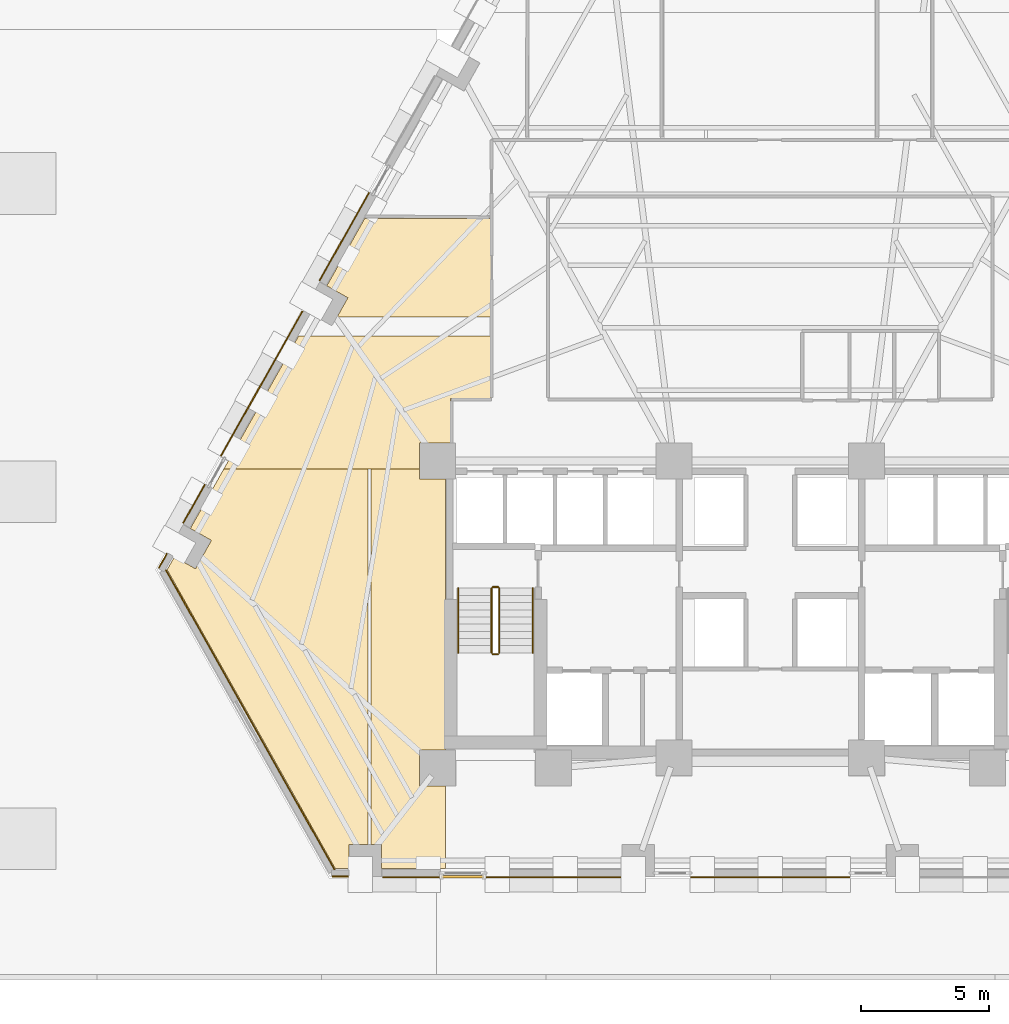
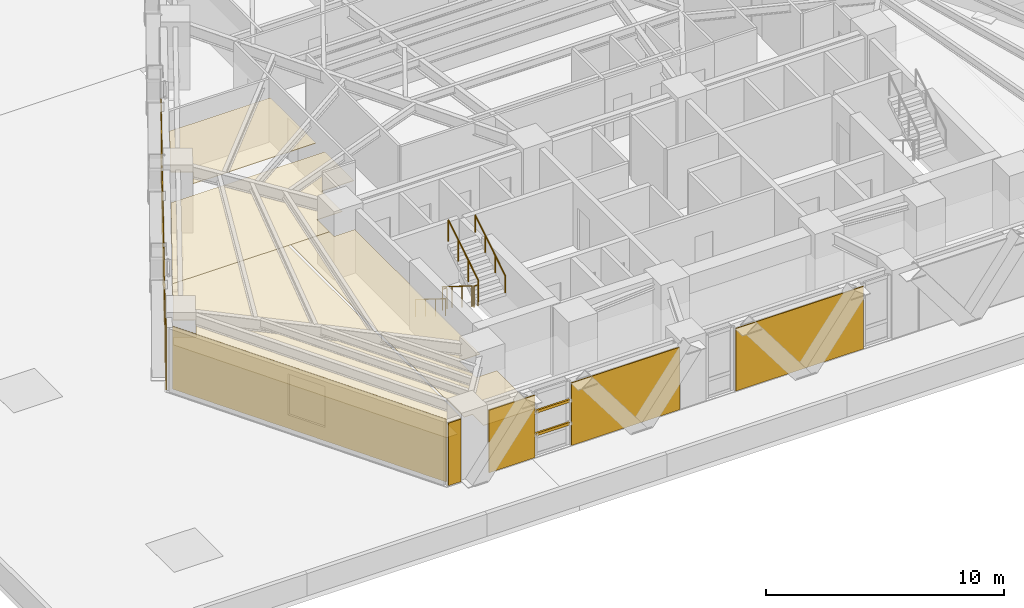
# One storey, part 12 of 14: 13 coverings, 6 railings, 2 shading devices.
"""IFC4 building model written with IfcOpenShell, lengths in metres."""

from ifc_helpers import new_model, si_unit, direction, frame, origin, origin_2d, place, context, subcontext, project, spatial, polyline, rectangle, circle, outline, extrude, material, layer, layer_set, material_profile, profile_set, type_object, element, save


model = new_model("IFC4")

# Units and contexts
model_context = context("Model", 3, precision=1e-05, world=origin(), true_north=direction((0.0, 1.0)))
body_context = subcontext(model_context, "Body", "Model", "MODEL_VIEW")
ifc_project = project(units=[si_unit("LENGTHUNIT", "METRE"), si_unit("AREAUNIT", "SQUARE_METRE"), si_unit("VOLUMEUNIT", "CUBIC_METRE"), si_unit("PLANEANGLEUNIT", "RADIAN"), si_unit("MASSUNIT", "GRAM", prefix="KILO")], contexts=[model_context])

# Site, building, storey
site_placement = place(None, origin())
site = spatial("IfcSite", under=ifc_project, at=site_placement, CompositionType="ELEMENT")
building_placement = place(site_placement, origin())
building = spatial("IfcBuilding", under=site, at=building_placement, Name="Quenlor Broadcast Tower", CompositionType="ELEMENT")
storey_placement = place(building_placement, frame((0.0, 0.0, 27.60009765625)))
storey = spatial("IfcBuildingStorey", under=building, at=storey_placement, Name="L06", CompositionType="ELEMENT", Elevation=27.60009765625)

# Coverings
ifc_material_1 = material(Name="Acoustic Mineral Fibre Board", Category="other")
ifc_layer_1 = layer(ifc_material_1, 0.02490234375)
ifc_layer_set_1 = layer_set([ifc_layer_1], Name="Acoustic Perforated Mineral Tile Ceiling 25")
covering_type_1 = type_object("IfcCoveringType", Name="Acoustic Perforated Mineral Tile Ceiling 25", PredefinedType="CEILING", material=ifc_layer_set_1)
covering_1_placement = place(storey_placement, frame((0.0, 0.0, 2.224853515625)))
element("IfcCovering", 1, at=covering_1_placement, inside=storey, type_object=covering_type_1, Name="L06 Acoustic Ceiling L06-35", PredefinedType="CEILING", context=body_context, shape_type="SweptSolid", body=[
    extrude(outline(polyline([(-16.85986328125, 0.81005859375), (-16.44189453125, 1.552978515625), (-17.263671875, 2.015380859375), (-15.787353515625, 4.639892578125), (-10.8798828125, 4.639892578125), (-10.8798828125, 0.81005859375), (-16.85986328125, 0.81005859375)])), origin(), (0.0, 0.0, 1.0), 0.025146484375),
])
covering_2_placement = place(storey_placement, frame((0.0, 0.0, 2.224853515625)))
element("IfcCovering", 2, at=covering_2_placement, inside=storey, type_object=covering_type_1, Name="L06 Acoustic Ceiling L06-37", PredefinedType="CEILING", context=body_context, shape_type="SweptSolid", body=[
    extrude(outline(polyline([(-12.43994140625, -2.3701171875), (-12.43994140625, -4.092041015625), (-13.657958984375, -4.092041015625), (-13.657958984375, -5.1201171875), (-15.5400390625, -5.1201171875), (-15.659912109375, -5.1201171875), (-21.27734375, -5.1201171875), (-18.36376953125, 0.059814453125), (-10.8798828125, 0.059814453125), (-10.8798828125, -2.3701171875), (-12.43994140625, -2.3701171875)])), origin(), (0.0, 0.0, 1.0), 0.025146484375),
])
covering_3_placement = place(storey_placement, frame((0.0, 0.0, 2.224853515625)))
element("IfcCovering", 3, at=covering_3_placement, inside=storey, type_object=covering_type_1, Name="L06 Acoustic Ceiling L06-37-3", PredefinedType="CEILING", context=body_context, shape_type="SweptSolid", body=[
    extrude(outline(polyline([(-13.657958984375, -5.508056640625), (-12.64990234375, -5.508056640625), (-12.64990234375, -16.0419921875), (-13.657958984375, -16.0419921875), (-13.657958984375, -17.4580078125), (-12.64990234375, -17.4580078125), (-12.64990234375, -20.659912109375), (-15.132080078125, -20.659912109375), (-15.132080078125, -19.717041015625), (-15.5400390625, -19.717041015625), (-15.5400390625, -5.1201171875), (-13.657958984375, -5.1201171875), (-13.657958984375, -5.508056640625)])), origin(), (0.0, 0.0, 1.0), 0.025146484375),
])
covering_4_placement = place(storey_placement, frame((0.0, 0.0, 2.224853515625)))
element("IfcCovering", 4, at=covering_4_placement, inside=storey, type_object=covering_type_1, Name="L06 Acoustic Ceiling L06-37-4", PredefinedType="CEILING", context=body_context, shape_type="SweptSolid", body=[
    extrude(outline(polyline([(-15.659912109375, -19.717041015625), (-16.398193359375, -19.717041015625), (-16.398193359375, -20.659912109375), (-16.937255859375, -20.659912109375), (-23.477783203125, -9.031982421875), (-23.196533203125, -8.531982421875), (-22.374755859375, -8.994140625), (-21.754150390625, -7.890625), (-22.575927734375, -7.428466796875), (-21.27734375, -5.1201171875), (-15.659912109375, -5.1201171875), (-15.659912109375, -19.717041015625)])), origin(), (0.0, 0.0, 1.0), 0.025146484375),
])

# Shading devices
ifc_material_2 = material(Name="Architectural Terracotta Ceramic", Category="masonry")
ifc_material_profile = material_profile(ifc_material_2, rectangle(XDim=0.090087890625, YDim=0.139892578125, at=origin_2d()))
ifc_profile_set = profile_set([ifc_material_profile], Name="Architectural Terracotta Ceramic BAG90x140")
shading_device_type = type_object("IfcShadingDeviceType", Name="Copper Terracotta Baguette Solar Screen 140", PredefinedType="USERDEFINED", material=ifc_profile_set)
for number, where, z_axis, x_axis, name in (
    (5, (-11.146484375, -20.98291015625, 1.169921875), (-1.0, 0.0, 0.0), (0.0, -1.0, 0.0), "L06 Terracotta Baguette Screen 1"),
    (6, (-11.146484375, -20.98291015625, 2.33984375), (-1.0, 0.0, 0.0), (0.0, -1.0, 0.0), "L06 Terracotta Baguette Screen 2"),
):
    element("IfcShadingDevice", number, at=place(storey_placement, frame(where, z_axis=z_axis, x_axis=x_axis)), inside=storey, type_object=shading_device_type, Name=name, ObjectType="BAGUETTE", PredefinedType="USERDEFINED", context=body_context, shape_type="SweptSolid", body=[
        extrude(rectangle(XDim=0.090087890625, YDim=0.139892578125, at=origin_2d()), origin(), (0.0, 0.0, 1.0), 1.6484375),
    ])

# Coverings
ifc_material_3 = material(Name="Architectural Terracotta Ceramic", Category="masonry")
ifc_layer_2 = layer(ifc_material_3, 0.044921875)
ifc_layer_set_2 = layer_set([ifc_layer_2], Name="Fluted Terracotta Rainscreen Cladding Panel")
covering_type_2 = type_object("IfcCoveringType", Name="Fluted Terracotta Rainscreen Cladding Panel", PredefinedType="CLADDING", material=ifc_layer_set_2)
covering_5_placement = place(storey_placement, frame((0.0, 0.0, 0.02001953125)))
element("IfcCovering", 7, at=covering_5_placement, inside=storey, type_object=covering_type_2, Name="L06 Terracotta Rainscreen Cladding L06-SHD-SS1", PredefinedType="CLADDING", context=body_context, shape_type="SweptSolid", body=[
    extrude(outline(polyline([(-16.425048828125, -20.951904296875), (-17.0458984375, -20.951904296875), (-17.0458984375, -20.9970703125), (-16.425048828125, -20.9970703125), (-16.425048828125, -20.951904296875)])), origin(), (0.0, 0.0, 1.0), 3.2099609375),
])
covering_6_placement = place(storey_placement, frame((0.0, 0.0, 0.02001953125)))
element("IfcCovering", 8, at=covering_6_placement, inside=storey, type_object=covering_type_2, Name="L06 Terracotta Rainscreen Cladding L06-SC-SP1", PredefinedType="CLADDING", context=body_context, shape_type="SweptSolid", body=[
    extrude(outline(polyline([(-5.82080078125, -20.98193359375), (-11.07666015625, -20.98193359375), (-11.07666015625, -21.027099609375), (-5.82080078125, -21.027099609375), (-5.82080078125, -20.98193359375)])), origin(), (0.0, 0.0, 1.0), 3.2099609375),
])
covering_7_placement = place(storey_placement, frame((0.0, 0.0, 0.02001953125)))
element("IfcCovering", 9, at=covering_7_placement, inside=storey, type_object=covering_type_2, Name="L06 Terracotta Rainscreen Cladding L06-SC-SP2", PredefinedType="CLADDING", context=body_context, shape_type="SweptSolid", body=[
    extrude(outline(polyline([(-12.864990234375, -20.98193359375), (-15.085205078125, -20.98193359375), (-15.085205078125, -21.027099609375), (-12.864990234375, -21.027099609375), (-12.864990234375, -20.98193359375)])), origin(), (0.0, 0.0, 1.0), 3.2099609375),
])
covering_8_placement = place(storey_placement, frame((0.0, 0.0, 0.02001953125)))
element("IfcCovering", 10, at=covering_8_placement, inside=storey, type_object=covering_type_2, Name="L06 Terracotta Rainscreen Cladding L06-S-SP1", PredefinedType="CLADDING", context=body_context, shape_type="SweptSolid", body=[
    extrude(outline(polyline([(3.09619140625, -20.98193359375), (-3.09619140625, -20.98193359375), (-3.09619140625, -21.027099609375), (3.09619140625, -21.027099609375), (3.09619140625, -20.98193359375)])), origin(), (0.0, 0.0, 1.0), 3.2099609375),
])
covering_9_placement = place(storey_placement, frame((0.0, 0.0, 0.02001953125)))
element("IfcCovering", 11, at=covering_9_placement, inside=storey, type_object=covering_type_2, Name="L06 Terracotta Rainscreen Cladding L06-SHD-NWS0", PredefinedType="CLADDING", context=body_context, shape_type="SweptSolid", body=[
    extrude(outline(polyline([(-23.781982421875, -8.97705078125), (-23.464111328125, -8.412109375), (-23.50341796875, -8.39013671875), (-23.8212890625, -8.955078125), (-23.781982421875, -8.97705078125)])), origin(), (0.0, 0.0, 1.0), 3.2099609375),
])
covering_10_placement = place(storey_placement, frame((0.0, 0.0, 0.02001953125)))
element("IfcCovering", 12, at=covering_10_placement, inside=storey, type_object=covering_type_2, Name="L06 Terracotta Rainscreen Cladding L06-NWA-SP1", PredefinedType="CLADDING", context=body_context, shape_type="SweptSolid", body=[
    extrude(outline(polyline([(-22.83349609375, -7.2294921875), (-21.989013671875, -5.728271484375), (-22.0283203125, -5.706298828125), (-22.872802734375, -7.20751953125), (-22.83349609375, -7.2294921875)])), origin(), (0.0, 0.0, 1.0), 3.2099609375),
])
covering_11_placement = place(storey_placement, frame((0.0, 0.0, 0.02001953125)))
element("IfcCovering", 13, at=covering_11_placement, inside=storey, type_object=covering_type_2, Name="L06 Terracotta Rainscreen Cladding L06-NWA-SP2", PredefinedType="CLADDING", context=body_context, shape_type="SweptSolid", body=[
    extrude(outline(polyline([(-21.36669921875, -4.621826171875), (-18.18798828125, 1.029052734375), (-18.227294921875, 1.051025390625), (-21.406005859375, -4.599853515625), (-21.36669921875, -4.621826171875)])), origin(), (0.0, 0.0, 1.0), 3.2099609375),
])
covering_12_placement = place(storey_placement, frame((0.0, 0.0, 0.02001953125)))
element("IfcCovering", 14, at=covering_12_placement, inside=storey, type_object=covering_type_2, Name="L06 Terracotta Rainscreen Cladding L06-NW-SP1", PredefinedType="CLADDING", context=body_context, shape_type="SweptSolid", body=[
    extrude(outline(polyline([(-17.523681640625, 2.2099609375), (-15.595458984375, 5.63818359375), (-15.634765625, 5.66015625), (-17.56298828125, 2.23193359375), (-17.523681640625, 2.2099609375)])), origin(), (0.0, 0.0, 1.0), 3.2099609375),
])
covering_13_placement = place(storey_placement, frame((0.0, 0.0, 0.02001953125)))
element("IfcCovering", 15, at=covering_13_placement, inside=storey, type_object=covering_type_2, Name="L06 Terracotta Rainscreen Cladding L06-CNR-04", PredefinedType="CLADDING", context=body_context, shape_type="SweptSolid", body=[
    extrude(outline(polyline([(-23.547607421875, -9.046875), (-16.98388671875, -20.71533203125), (-16.94482421875, -20.693359375), (-23.50830078125, -9.02490234375), (-23.547607421875, -9.046875)])), origin(), (0.0, 0.0, 1.0), 3.2099609375),
])

# Railings
ifc_material_4 = material(Name="Anodised Aluminium", Category="aluminium")
railing_type_1 = type_object("IfcRailingType", Name="Stainless Aluminium Wall Handrail 900", PredefinedType="HANDRAIL", material=ifc_material_4)
railing_1_placement = place(storey_placement, frame((-12.14990234375, -9.75, 0.1748046875)))
element("IfcRailing", 16, at=railing_1_placement, inside=storey, type_object=railing_type_1, Name="L06 ST-1 stair handrail 1", PredefinedType="HANDRAIL", context=body_context, shape_type="SweptSolid", body=[
    extrude(circle(Radius=0.02392578125, at=origin_2d()), frame((0.0, 0.0, 0.8759765625), z_axis=(0.0, -0.847970611238, 0.530043245855), x_axis=(1.0, 0.0, 0.0)), (0.0, 0.0, 1.0), 2.971923828125),
    extrude(circle(Radius=0.02099609375, at=origin_2d()), origin(), (0.0, 0.0, 1.0), 0.851806640625),
    extrude(circle(Radius=0.02099609375, at=origin_2d()), frame((0.0, -0.840087890625, 0.525146484375)), (0.0, 0.0, 1.0), 0.851806640625),
    extrude(circle(Radius=0.02099609375, at=origin_2d()), frame((0.0, -1.679931640625, 1.050048828125)), (0.0, 0.0, 1.0), 0.851806640625),
    extrude(circle(Radius=0.02099609375, at=origin_2d()), frame((0.0, -2.52001953125, 1.5751953125)), (0.0, 0.0, 1.0), 0.851806640625),
])
railing_2_placement = place(storey_placement, frame((-9.25, -12.27001953125, 1.9248046875)))
element("IfcRailing", 17, at=railing_2_placement, inside=storey, type_object=railing_type_1, Name="L06 ST-1 stair handrail 2", PredefinedType="HANDRAIL", context=body_context, shape_type="SweptSolid", body=[
    extrude(circle(Radius=0.02392578125, at=origin_2d()), frame((0.0, 0.0, 0.8759765625), z_axis=(0.0, 0.847970611238, 0.530043245855), x_axis=(-1.0, 0.0, 0.0)), (0.0, 0.0, 1.0), 2.971923828125),
    extrude(circle(Radius=0.02099609375, at=origin_2d()), origin(), (0.0, 0.0, 1.0), 0.851806640625),
    extrude(circle(Radius=0.02099609375, at=origin_2d()), frame((0.0, 0.840087890625, 0.525146484375)), (0.0, 0.0, 1.0), 0.851806640625),
    extrude(circle(Radius=0.02099609375, at=origin_2d()), frame((0.0, 1.679931640625, 1.050048828125)), (0.0, 0.0, 1.0), 0.851806640625),
    extrude(circle(Radius=0.02099609375, at=origin_2d()), frame((0.0, 2.52001953125, 1.5751953125)), (0.0, 0.0, 1.0), 0.851806640625),
])
ifc_material_5 = material(Name="Steel S355", Category="steel")
railing_type_2 = type_object("IfcRailingType", Name="Tubular Steel S355 Stair Guardrail 1100", PredefinedType="BALUSTRADE", material=ifc_material_5)
railing_3_placement = place(storey_placement, frame((-10.85009765625, -9.75, 0.1748046875)))
element("IfcRailing", 18, at=railing_3_placement, inside=storey, type_object=railing_type_2, Name="L06 ST-1 stair guard 1", PredefinedType="BALUSTRADE", context=body_context, shape_type="SweptSolid", body=[
    extrude(circle(Radius=0.02392578125, at=origin_2d()), frame((0.0, 0.0, 1.076171875), z_axis=(0.0, -0.847970611238, 0.530043245855), x_axis=(1.0, 0.0, 0.0)), (0.0, 0.0, 1.0), 2.971923828125),
    extrude(circle(Radius=0.02099609375, at=origin_2d()), origin(), (0.0, 0.0, 1.0), 1.052001953125),
    extrude(circle(Radius=0.02099609375, at=origin_2d()), frame((0.0, -0.840087890625, 0.525146484375)), (0.0, 0.0, 1.0), 1.052001953125),
    extrude(circle(Radius=0.02099609375, at=origin_2d()), frame((0.0, -1.679931640625, 1.050048828125)), (0.0, 0.0, 1.0), 1.052001953125),
    extrude(circle(Radius=0.02099609375, at=origin_2d()), frame((0.0, -2.52001953125, 1.5751953125)), (0.0, 0.0, 1.0), 1.052001953125),
])
railing_4_placement = place(storey_placement, frame((-10.800048828125, -12.320068359375, 1.75)))
element("IfcRailing", 19, at=railing_4_placement, inside=storey, type_object=railing_type_2, Name="L06 ST-1 stair guard 2", PredefinedType="BALUSTRADE", context=body_context, shape_type="SweptSolid", body=[
    extrude(circle(Radius=0.02392578125, at=origin_2d()), frame((0.0, 0.0, 1.076171875), z_axis=(1.0, 0.0, 0.0), x_axis=(0.0, 1.0, 0.0)), (0.0, 0.0, 1.0), 0.199951171875),
    extrude(circle(Radius=0.02099609375, at=origin_2d()), origin(), (0.0, 0.0, 1.0), 1.052001953125),
    extrude(circle(Radius=0.02099609375, at=origin_2d()), frame((0.199951171875, 0.0, 0.0)), (0.0, 0.0, 1.0), 1.052001953125),
])
railing_5_placement = place(storey_placement, frame((-10.550048828125, -12.27001953125, 1.9248046875)))
element("IfcRailing", 20, at=railing_5_placement, inside=storey, type_object=railing_type_2, Name="L06 ST-1 stair guard 3", PredefinedType="BALUSTRADE", context=body_context, shape_type="SweptSolid", body=[
    extrude(circle(Radius=0.02392578125, at=origin_2d()), frame((0.0, 0.0, 1.076171875), z_axis=(0.0, 0.847970611238, 0.530043245855), x_axis=(-1.0, 0.0, 0.0)), (0.0, 0.0, 1.0), 2.971923828125),
    extrude(circle(Radius=0.02099609375, at=origin_2d()), origin(), (0.0, 0.0, 1.0), 1.052001953125),
    extrude(circle(Radius=0.02099609375, at=origin_2d()), frame((0.0, 0.840087890625, 0.525146484375)), (0.0, 0.0, 1.0), 1.052001953125),
    extrude(circle(Radius=0.02099609375, at=origin_2d()), frame((0.0, 1.679931640625, 1.050048828125)), (0.0, 0.0, 1.0), 1.052001953125),
    extrude(circle(Radius=0.02099609375, at=origin_2d()), frame((0.0, 2.52001953125, 1.5751953125)), (0.0, 0.0, 1.0), 1.052001953125),
])
railing_6_placement = place(storey_placement, frame((-10.800048828125, -9.699951171875, 0.0)))
element("IfcRailing", 21, at=railing_6_placement, inside=storey, type_object=railing_type_2, Name="L06 ST-1 stair guard 4", PredefinedType="BALUSTRADE", context=body_context, shape_type="SweptSolid", body=[
    extrude(circle(Radius=0.02392578125, at=origin_2d()), frame((0.0, 0.0, 1.076171875), z_axis=(1.0, 0.0, 0.0), x_axis=(0.0, 1.0, 0.0)), (0.0, 0.0, 1.0), 0.199951171875),
    extrude(circle(Radius=0.02099609375, at=origin_2d()), origin(), (0.0, 0.0, 1.0), 1.052001953125),
    extrude(circle(Radius=0.02099609375, at=origin_2d()), frame((0.199951171875, 0.0, 0.0)), (0.0, 0.0, 1.0), 1.052001953125),
])

save(model, "model.ifc")
